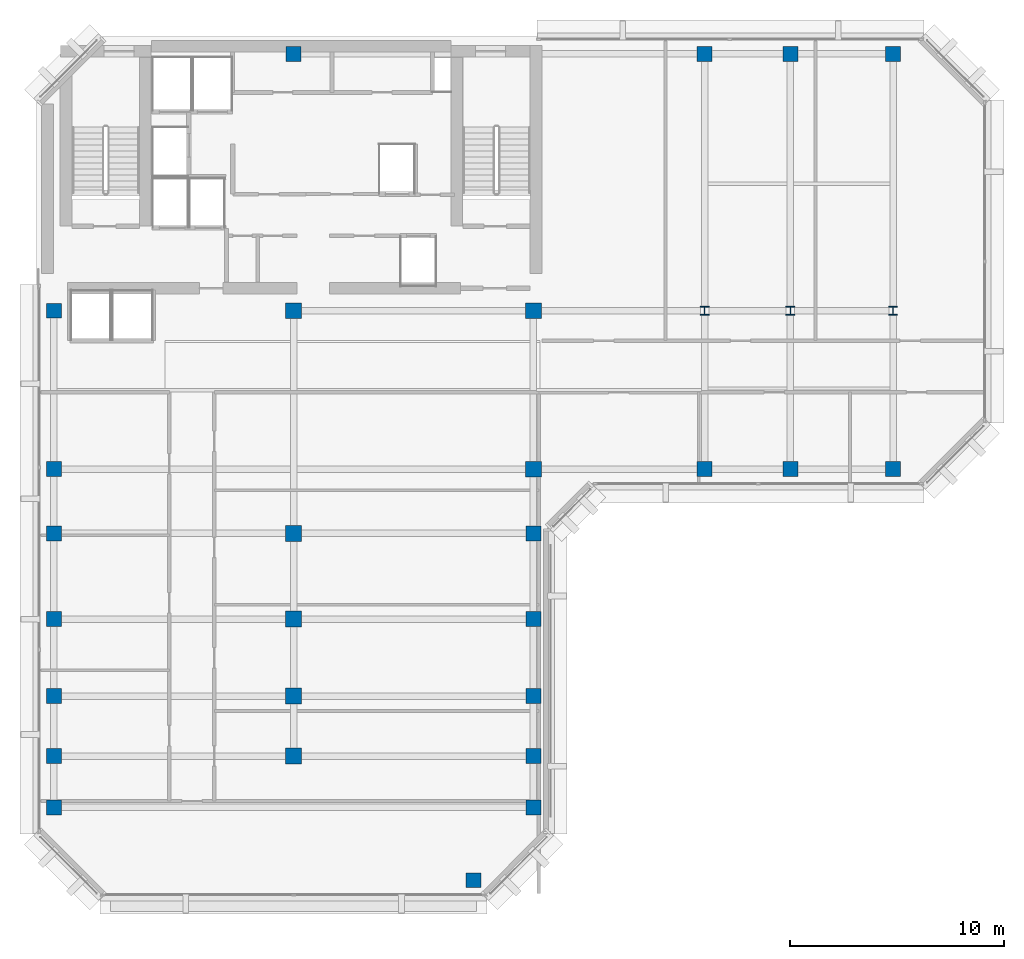
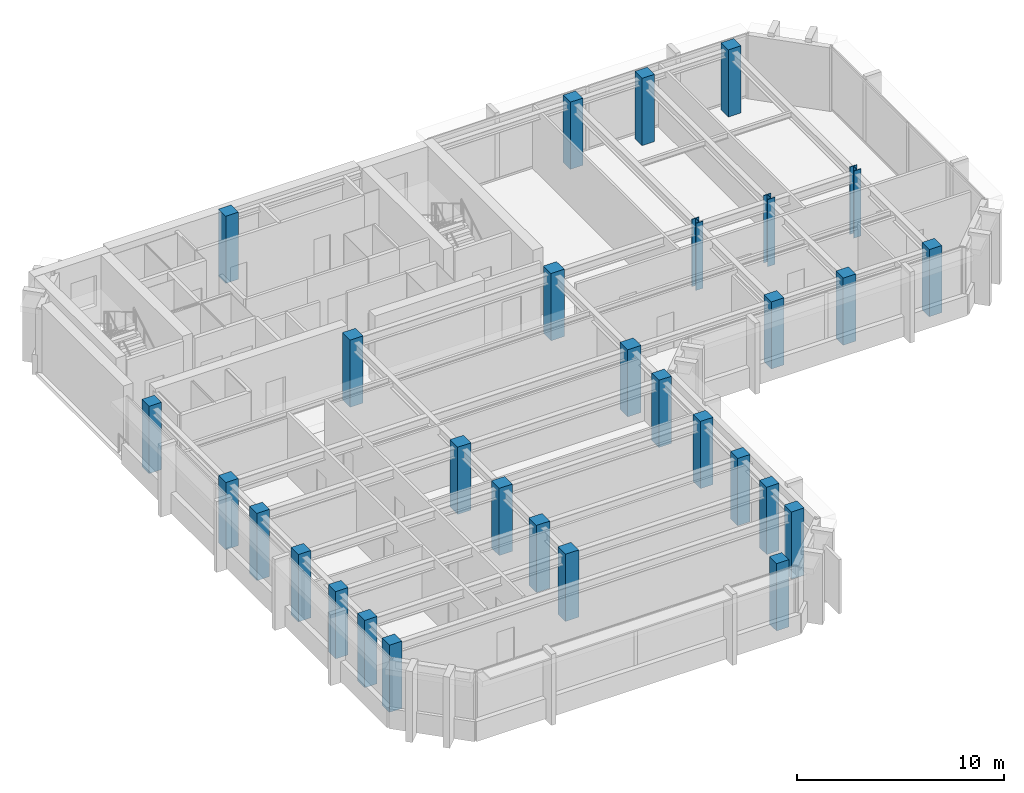
# One storey, part 1 of 11: 30 columns.
"""IFC4 building model written with IfcOpenShell, lengths in metres."""

from ifc_helpers import new_model, si_unit, direction, frame, origin, origin_2d, place, context, subcontext, project, spatial, rectangle, i_section, extrude, material, material_profile, profile_set, type_object, element, save


model = new_model("IFC4")

# Units and contexts
model_context = context("Model", 3, precision=1e-05, world=origin(), true_north=direction((0.0, 1.0)))
body_context = subcontext(model_context, "Body", "Model", "MODEL_VIEW")
ifc_project = project(units=[si_unit("LENGTHUNIT", "METRE"), si_unit("AREAUNIT", "SQUARE_METRE"), si_unit("VOLUMEUNIT", "CUBIC_METRE"), si_unit("PLANEANGLEUNIT", "RADIAN"), si_unit("MASSUNIT", "GRAM", prefix="KILO")], contexts=[model_context])

# Site, building, storey
site_placement = place(None, origin())
site = spatial("IfcSite", under=ifc_project, at=site_placement, CompositionType="ELEMENT")
building_placement = place(site_placement, origin())
building = spatial("IfcBuilding", under=site, at=building_placement, Name="Kefirva Bronze Tower", CompositionType="ELEMENT")
storey_placement = place(building_placement, frame((0.0, 0.0, 292.050048828125)))
storey = spatial("IfcBuildingStorey", under=building, at=storey_placement, Name="L71", CompositionType="ELEMENT", Elevation=292.050048828125)

# Columns
ifc_material_1 = material(Name="Concrete C50/60", Category="concrete")
ifc_material_profile_1 = material_profile(ifc_material_1, rectangle(XDim=0.699951171875, YDim=0.699951171875, at=origin_2d()), Name="RC 700x700")
ifc_profile_set_1 = profile_set([ifc_material_profile_1], Name="Concrete C50/60")
column_type_1 = type_object("IfcColumnType", Name="RC Column 700x700 Ext", PredefinedType="COLUMN", material=ifc_profile_set_1)
for number, where, z_axis, x_axis, name in (
    (1, (0.800048828125, 10.0, 0.0), (0.0, 0.0, 1.0), (1.0, 0.0, 0.0), "L71 Column C008_100"),
    (2, (0.800048828125, 12.39990234375, 0.0), (0.0, 0.0, 1.0), (1.0, 0.0, 0.0), "L71 Column C008_124"),
    (3, (0.800048828125, 15.199951171875, 0.0), (0.0, 0.0, 1.0), (1.0, 0.0, 0.0), "L71 Column C008_152"),
    (4, (0.800048828125, 18.800048828125, 0.0), (0.0, 0.0, 1.0), (1.0, 0.0, 0.0), "L71 Column C008_188"),
    (5, (0.800048828125, 22.800048828125, 0.0), (0.0, 0.0, 1.0), (1.0, 0.0, 0.0), "L71 Column C008_228"),
    (6, (0.800048828125, 25.800048828125, 0.0), (0.0, 0.0, 1.0), (1.0, 0.0, 0.0), "L71 Column C008_258"),
    (7, (0.800048828125, 33.199951171875, 0.0), (0.0, 0.0, 1.0), (1.0, 0.0, 0.0), "L71 Column C008_332"),
    (8, (12.0, 45.199951171875, 0.0), (0.0, 0.0, 1.0), (1.0, 0.0, 0.0), "L71 Column C120_452"),
    (9, (20.39990234375, 6.60009765625, 0.0), (0.0, 0.0, 1.0), (1.0, 0.0, 0.0), "L71 Column C204_066"),
    (10, (23.199951171875, 10.0, 0.0), (0.0, 0.0, 1.0), (1.0, 0.0, 0.0), "L71 Column C232_100"),
    (11, (23.199951171875, 12.39990234375, 0.0), (0.0, 0.0, 1.0), (1.0, 0.0, 0.0), "L71 Column C232_124"),
    (12, (23.199951171875, 15.199951171875, 0.0), (0.0, 0.0, 1.0), (1.0, 0.0, 0.0), "L71 Column C232_152"),
    (13, (23.199951171875, 18.800048828125, 0.0), (0.0, 0.0, 1.0), (1.0, 0.0, 0.0), "L71 Column C232_188"),
    (14, (23.199951171875, 22.800048828125, 0.0), (0.0, 0.0, 1.0), (1.0, 0.0, 0.0), "L71 Column C232_228"),
    (15, (31.199951171875, 25.800048828125, 0.0), (0.0, 0.0, 1.0), (1.0, 0.0, 0.0), "L71 Column C312_258"),
    (16, (31.199951171875, 45.199951171875, 0.0), (0.0, 0.0, 1.0), (1.0, 0.0, 0.0), "L71 Column C312_452"),
    (17, (35.199951171875, 25.800048828125, 0.0), (0.0, 0.0, 1.0), (1.0, 0.0, 0.0), "L71 Column C352_258"),
    (18, (35.199951171875, 45.199951171875, 0.0), (0.0, 0.0, 1.0), (1.0, 0.0, 0.0), "L71 Column C352_452"),
    (19, (40.0, 25.800048828125, 0.0), (0.0, 0.0, 1.0), (1.0, 0.0, 0.0), "L71 Column C400_258"),
    (20, (40.0, 45.199951171875, 0.0), (0.0, 0.0, 1.0), (1.0, 0.0, 0.0), "L71 Column C400_452"),
):
    element("IfcColumn", number, at=place(storey_placement, frame(where, z_axis=z_axis, x_axis=x_axis)), inside=storey, type_object=column_type_1, Name=name, PredefinedType="COLUMN", context=body_context, shape_type="SweptSolid", body=[
        extrude(rectangle(XDim=0.699951171875, YDim=0.699951171875, at=origin_2d()), origin(), (0.0, 0.0, 1.0), 3.9599609375),
    ])
ifc_material_profile_2 = material_profile(ifc_material_1, rectangle(XDim=0.739990234375, YDim=0.739990234375, at=origin_2d()), Name="RC 740x740")
ifc_profile_set_2 = profile_set([ifc_material_profile_2], Name="Concrete C50/60")
column_type_2 = type_object("IfcColumnType", Name="RC Column 740x740 Int", PredefinedType="COLUMN", material=ifc_profile_set_2)
for number, where, z_axis, x_axis, name in (
    (21, (12.0, 12.39990234375, 0.0), (0.0, 0.0, 1.0), (1.0, 0.0, 0.0), "L71 Column C120_124"),
    (22, (12.0, 15.199951171875, 0.0), (0.0, 0.0, 1.0), (1.0, 0.0, 0.0), "L71 Column C120_152"),
    (23, (12.0, 18.800048828125, 0.0), (0.0, 0.0, 1.0), (1.0, 0.0, 0.0), "L71 Column C120_188"),
    (24, (12.0, 22.800048828125, 0.0), (0.0, 0.0, 1.0), (1.0, 0.0, 0.0), "L71 Column C120_228"),
    (25, (12.0, 33.199951171875, 0.0), (0.0, 0.0, 1.0), (1.0, 0.0, 0.0), "L71 Column C120_332"),
    (26, (23.199951171875, 25.800048828125, 0.0), (0.0, 0.0, 1.0), (1.0, 0.0, 0.0), "L71 Column C232_258"),
    (27, (23.199951171875, 33.199951171875, 0.0), (0.0, 0.0, 1.0), (1.0, 0.0, 0.0), "L71 Column C232_332"),
):
    element("IfcColumn", number, at=place(storey_placement, frame(where, z_axis=z_axis, x_axis=x_axis)), inside=storey, type_object=column_type_2, Name=name, PredefinedType="COLUMN", context=body_context, shape_type="SweptSolid", body=[
        extrude(rectangle(XDim=0.739990234375, YDim=0.739990234375, at=origin_2d()), origin(), (0.0, 0.0, 1.0), 3.9599609375),
    ])
ifc_material_2 = material(Name="Steel S460", Category="steel")
ifc_material_profile_3 = material_profile(ifc_material_2, i_section(OverallWidth=0.406005859375, OverallDepth=0.416015625, WebThickness=0.02197265625, FlangeThickness=0.035888671875, at=origin_2d()), Name="HD 400x382")
ifc_profile_set_3 = profile_set([ifc_material_profile_3], Name="Steel S460")
column_type_3 = type_object("IfcColumnType", Name="Steel Column HD 400x382", PredefinedType="COLUMN", material=ifc_profile_set_3)
for number, where, z_axis, x_axis, name in (
    (28, (31.199951171875, 33.199951171875, 0.0), (0.0, 0.0, 1.0), (1.0, 0.0, 0.0), "L71 Column C312_332"),
    (29, (35.199951171875, 33.199951171875, 0.0), (0.0, 0.0, 1.0), (1.0, 0.0, 0.0), "L71 Column C352_332"),
    (30, (40.0, 33.199951171875, 0.0), (0.0, 0.0, 1.0), (1.0, 0.0, 0.0), "L71 Column C400_332"),
):
    element("IfcColumn", number, at=place(storey_placement, frame(where, z_axis=z_axis, x_axis=x_axis)), inside=storey, type_object=column_type_3, Name=name, PredefinedType="COLUMN", context=body_context, shape_type="SweptSolid", body=[
        extrude(i_section(OverallWidth=0.406005859375, OverallDepth=0.416015625, WebThickness=0.02197265625, FlangeThickness=0.035888671875, at=origin_2d()), origin(), (0.0, 0.0, 1.0), 3.9599609375),
    ])

save(model, "model.ifc")
